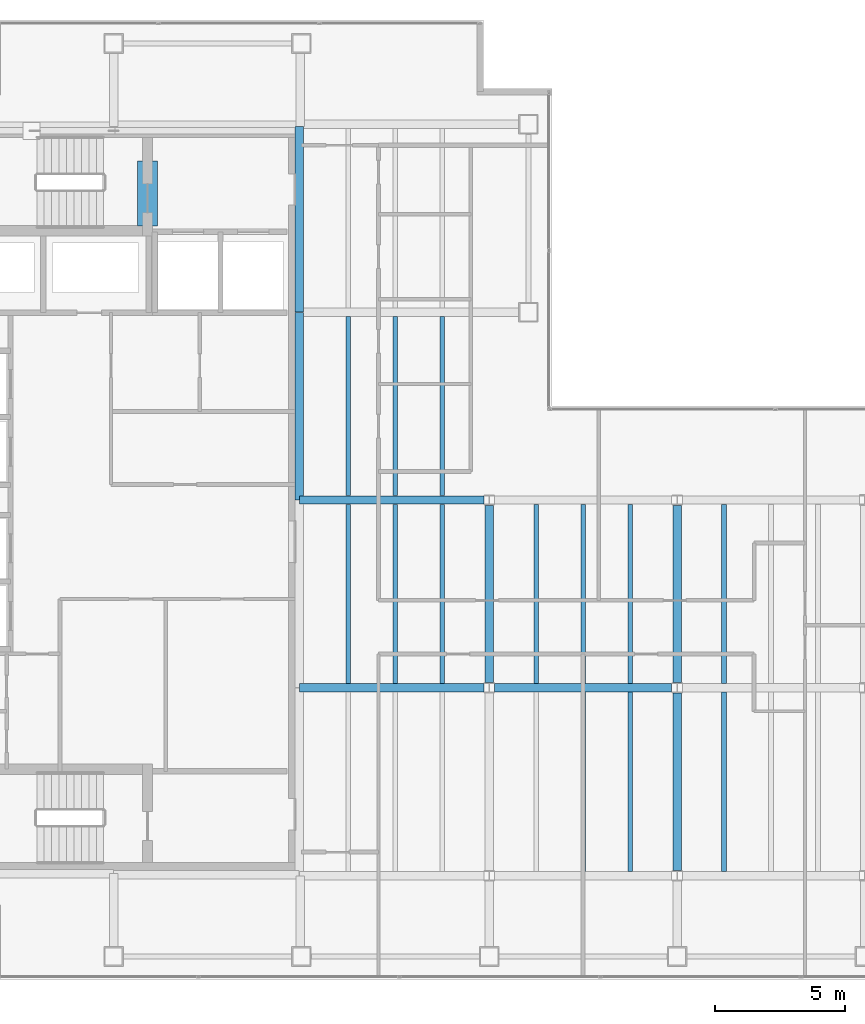
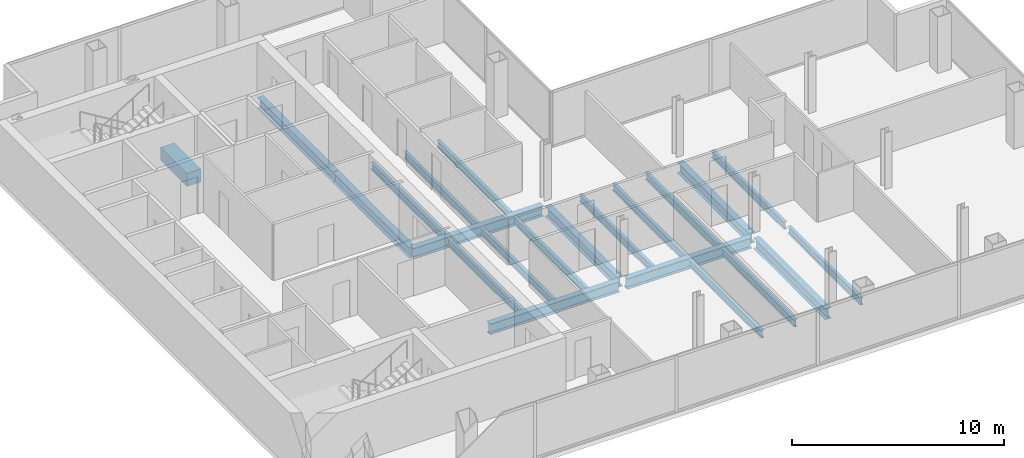
# One storey, part 7 of 23: 22 beams.
"""IFC4 building model written with IfcOpenShell, lengths in metres."""

from ifc_helpers import new_model, si_unit, direction, frame, origin, origin_2d, place, context, subcontext, project, spatial, rectangle, i_section, extrude, material, material_profile, profile_set, type_object, element, save


model = new_model("IFC4")

# Units and contexts
model_context = context("Model", 3, precision=1e-05, world=origin(), true_north=direction((0.0, 1.0)))
body_context = subcontext(model_context, "Body", "Model", "MODEL_VIEW")
ifc_project = project(units=[si_unit("LENGTHUNIT", "METRE"), si_unit("AREAUNIT", "SQUARE_METRE"), si_unit("VOLUMEUNIT", "CUBIC_METRE"), si_unit("PLANEANGLEUNIT", "RADIAN"), si_unit("MASSUNIT", "GRAM", prefix="KILO")], contexts=[model_context])

# Site, building, storey
site_placement = place(None, origin())
site = spatial("IfcSite", under=ifc_project, at=site_placement, CompositionType="ELEMENT")
building_placement = place(site_placement, origin())
building = spatial("IfcBuilding", under=site, at=building_placement, Name="Cobrela Telecom Tower", CompositionType="ELEMENT")
storey_placement = place(building_placement, frame((0.0, 0.0, 211.75)))
storey = spatial("IfcBuildingStorey", under=building, at=storey_placement, Name="L54", CompositionType="ELEMENT", Elevation=211.75)

# Beams
ifc_material_1 = material(Name="Concrete C40/50", Category="concrete")
ifc_material_profile_1 = material_profile(ifc_material_1, rectangle(XDim=0.75, YDim=0.75, at=origin_2d()), Name="RC 750x750")
ifc_profile_set_1 = profile_set([ifc_material_profile_1], Name="Concrete C40/50")
beam_type_1 = type_object("IfcBeamType", Name="BM-COUP-RC", PredefinedType="LINTEL", material=ifc_profile_set_1)
beam_1_placement = place(storey_placement, frame((8.5, 32.10009765625, -0.610107421875), z_axis=(0.0, 1.0, 0.0), x_axis=(-1.0, 0.0, 0.0)))
element("IfcBeam", 1, at=beam_1_placement, inside=storey, type_object=beam_type_1, Name="L54 Core Coupling Lintel Beam", PredefinedType="LINTEL", context=body_context, shape_type="SweptSolid", body=[
    extrude(rectangle(XDim=0.75, YDim=0.75, at=origin_2d()), origin(), (0.0, 0.0, 1.0), 2.5),
])
ifc_material_2 = material(Name="Steel ASTM A992 Grade 50", Category="steel")
ifc_material_profile_2 = material_profile(ifc_material_2, i_section(OverallWidth=0.324951171875, OverallDepth=0.612060546875, WebThickness=0.0126953125, FlangeThickness=0.01904296875, FilletRadius=0.014892578125, at=origin_2d()), Name="W24X104")
ifc_profile_set_2 = profile_set([ifc_material_profile_2], Name="Steel ASTM A992 Grade 50")
beam_type_2 = type_object("IfcBeamType", Name="BM-GIRD-07", PredefinedType="USERDEFINED", material=ifc_profile_set_2)
beam_2_placement = place(storey_placement, frame((14.324951171875, 14.39990234375, -0.56591796875), z_axis=(1.0, 0.0, 0.0), x_axis=(0.0, 1.0, 0.0)))
element("IfcBeam", 2, at=beam_2_placement, inside=storey, type_object=beam_type_2, Name="L54 Primary Girder X11", ObjectType="GIRDER", PredefinedType="USERDEFINED", context=body_context, shape_type="SweptSolid", body=[
    extrude(i_section(OverallWidth=0.324951171875, OverallDepth=0.612060546875, WebThickness=0.0126953125, FlangeThickness=0.01904296875, FilletRadius=0.014892578125, at=origin_2d()), origin(), (0.0, 0.0, 1.0), 7.070556640625),
])
beam_3_placement = place(storey_placement, frame((21.804443359375, 14.39990234375, -0.56591796875), z_axis=(1.0, 0.0, 0.0), x_axis=(0.0, 1.0, 0.0)))
element("IfcBeam", 3, at=beam_3_placement, inside=storey, type_object=beam_type_2, Name="L54 Primary Girder X12", ObjectType="GIRDER", PredefinedType="USERDEFINED", context=body_context, shape_type="SweptSolid", body=[
    extrude(i_section(OverallWidth=0.324951171875, OverallDepth=0.612060546875, WebThickness=0.0126953125, FlangeThickness=0.01904296875, FilletRadius=0.014892578125, at=origin_2d()), origin(), (0.0, 0.0, 1.0), 6.791015625),
])
beam_4_placement = place(storey_placement, frame((14.324951171875, 21.60009765625, -0.56591796875), z_axis=(1.0, 0.0, 0.0), x_axis=(0.0, 1.0, 0.0)))
element("IfcBeam", 4, at=beam_4_placement, inside=storey, type_object=beam_type_2, Name="L54 Primary Girder X15", ObjectType="GIRDER", PredefinedType="USERDEFINED", context=body_context, shape_type="SweptSolid", body=[
    extrude(i_section(OverallWidth=0.324951171875, OverallDepth=0.612060546875, WebThickness=0.0126953125, FlangeThickness=0.01904296875, FilletRadius=0.014892578125, at=origin_2d()), origin(), (0.0, 0.0, 1.0), 7.070556640625),
])
beam_5_placement = place(storey_placement, frame((14.320068359375, 21.60498046875, -0.56591796875), z_axis=(0.0, 1.0, 0.0), x_axis=(-1.0, 0.0, 0.0)))
element("IfcBeam", 5, at=beam_5_placement, inside=storey, type_object=beam_type_2, Name="L54 Primary Girder Y29", ObjectType="GIRDER", PredefinedType="USERDEFINED", context=body_context, shape_type="SweptSolid", body=[
    extrude(i_section(OverallWidth=0.324951171875, OverallDepth=0.612060546875, WebThickness=0.0126953125, FlangeThickness=0.01904296875, FilletRadius=0.014892578125, at=origin_2d()), origin(), (0.0, 0.0, 1.0), 7.18994140625),
])
beam_6_placement = place(storey_placement, frame((14.320068359375, 28.804931640625, -0.56591796875), z_axis=(0.0, 1.0, 0.0), x_axis=(-1.0, 0.0, 0.0)))
element("IfcBeam", 6, at=beam_6_placement, inside=storey, type_object=beam_type_2, Name="L54 Primary Girder Y30", ObjectType="GIRDER", PredefinedType="USERDEFINED", context=body_context, shape_type="SweptSolid", body=[
    extrude(i_section(OverallWidth=0.324951171875, OverallDepth=0.612060546875, WebThickness=0.0126953125, FlangeThickness=0.01904296875, FilletRadius=0.014892578125, at=origin_2d()), origin(), (0.0, 0.0, 1.0), 7.110107421875),
])
for number, where, z_axis, x_axis, name in (
    (7, (21.60009765625, 14.6044921875, -0.56591796875), (0.0, 1.0, 0.0), (-1.0, 0.0, 0.0), "L54 Primary Girder Y34"),
    (8, (28.800048828125, 7.404541015625, -0.56591796875), (0.0, 1.0, 0.0), (-1.0, 0.0, 0.0), "L54 Primary Girder Y37"),
    (9, (28.800048828125, 14.6044921875, -0.56591796875), (0.0, 1.0, 0.0), (-1.0, 0.0, 0.0), "L54 Primary Girder Y38"),
):
    element("IfcBeam", number, at=place(storey_placement, frame(where, z_axis=z_axis, x_axis=x_axis)), inside=storey, type_object=beam_type_2, Name=name, ObjectType="GIRDER", PredefinedType="USERDEFINED", context=body_context, shape_type="SweptSolid", body=[
        extrude(i_section(OverallWidth=0.324951171875, OverallDepth=0.612060546875, WebThickness=0.0126953125, FlangeThickness=0.01904296875, FilletRadius=0.014892578125, at=origin_2d()), origin(), (0.0, 0.0, 1.0), 6.791015625),
    ])
ifc_material_profile_3 = material_profile(ifc_material_2, i_section(OverallWidth=0.179931640625, OverallDepth=0.4169921875, WebThickness=0.010986328125, FlangeThickness=0.01806640625, FilletRadius=0.011962890625, at=origin_2d()), Name="W16X57")
ifc_profile_set_3 = profile_set([ifc_material_profile_3], Name="Steel ASTM A992 Grade 50")
beam_type_3 = type_object("IfcBeamType", Name="BM-JOIST-04", PredefinedType="JOIST", material=ifc_profile_set_3)
beam_7_placement = place(storey_placement, frame((16.199951171875, 14.5673828125, -0.468505859375), z_axis=(0.0, 1.0, 0.0), x_axis=(-1.0, 0.0, 0.0)))
element("IfcBeam", 10, at=beam_7_placement, inside=storey, type_object=beam_type_3, Name="L54 Secondary Composite Floor Beam J02", PredefinedType="JOIST", context=body_context, shape_type="SweptSolid", body=[
    extrude(i_section(OverallWidth=0.179931640625, OverallDepth=0.4169921875, WebThickness=0.010986328125, FlangeThickness=0.01806640625, FilletRadius=0.011962890625, at=origin_2d()), origin(), (0.0, 0.0, 1.0), 6.865234375),
])
beam_8_placement = place(storey_placement, frame((16.199951171875, 21.767578125, -0.468505859375), z_axis=(0.0, 1.0, 0.0), x_axis=(-1.0, 0.0, 0.0)))
element("IfcBeam", 11, at=beam_8_placement, inside=storey, type_object=beam_type_3, Name="L54 Secondary Composite Floor Beam J03", PredefinedType="JOIST", context=body_context, shape_type="SweptSolid", body=[
    extrude(i_section(OverallWidth=0.179931640625, OverallDepth=0.4169921875, WebThickness=0.010986328125, FlangeThickness=0.01806640625, FilletRadius=0.011962890625, at=origin_2d()), origin(), (0.0, 0.0, 1.0), 6.864990234375),
])
beam_9_placement = place(storey_placement, frame((18.0, 14.5673828125, -0.468505859375), z_axis=(0.0, 1.0, 0.0), x_axis=(-1.0, 0.0, 0.0)))
element("IfcBeam", 12, at=beam_9_placement, inside=storey, type_object=beam_type_3, Name="L54 Secondary Composite Floor Beam J06", PredefinedType="JOIST", context=body_context, shape_type="SweptSolid", body=[
    extrude(i_section(OverallWidth=0.179931640625, OverallDepth=0.4169921875, WebThickness=0.010986328125, FlangeThickness=0.01806640625, FilletRadius=0.011962890625, at=origin_2d()), origin(), (0.0, 0.0, 1.0), 6.865234375),
])
beam_10_placement = place(storey_placement, frame((18.0, 21.767578125, -0.468505859375), z_axis=(0.0, 1.0, 0.0), x_axis=(-1.0, 0.0, 0.0)))
element("IfcBeam", 13, at=beam_10_placement, inside=storey, type_object=beam_type_3, Name="L54 Secondary Composite Floor Beam J07", PredefinedType="JOIST", context=body_context, shape_type="SweptSolid", body=[
    extrude(i_section(OverallWidth=0.179931640625, OverallDepth=0.4169921875, WebThickness=0.010986328125, FlangeThickness=0.01806640625, FilletRadius=0.011962890625, at=origin_2d()), origin(), (0.0, 0.0, 1.0), 6.864990234375),
])
beam_11_placement = place(storey_placement, frame((19.800048828125, 14.5673828125, -0.468505859375), z_axis=(0.0, 1.0, 0.0), x_axis=(-1.0, 0.0, 0.0)))
element("IfcBeam", 14, at=beam_11_placement, inside=storey, type_object=beam_type_3, Name="L54 Secondary Composite Floor Beam J10", PredefinedType="JOIST", context=body_context, shape_type="SweptSolid", body=[
    extrude(i_section(OverallWidth=0.179931640625, OverallDepth=0.4169921875, WebThickness=0.010986328125, FlangeThickness=0.01806640625, FilletRadius=0.011962890625, at=origin_2d()), origin(), (0.0, 0.0, 1.0), 6.865234375),
])
beam_12_placement = place(storey_placement, frame((19.800048828125, 21.767578125, -0.468505859375), z_axis=(0.0, 1.0, 0.0), x_axis=(-1.0, 0.0, 0.0)))
element("IfcBeam", 15, at=beam_12_placement, inside=storey, type_object=beam_type_3, Name="L54 Secondary Composite Floor Beam J11", PredefinedType="JOIST", context=body_context, shape_type="SweptSolid", body=[
    extrude(i_section(OverallWidth=0.179931640625, OverallDepth=0.4169921875, WebThickness=0.010986328125, FlangeThickness=0.01806640625, FilletRadius=0.011962890625, at=origin_2d()), origin(), (0.0, 0.0, 1.0), 6.864990234375),
])
beam_13_placement = place(storey_placement, frame((23.39990234375, 14.5673828125, -0.468505859375), z_axis=(0.0, 1.0, 0.0), x_axis=(-1.0, 0.0, 0.0)))
element("IfcBeam", 16, at=beam_13_placement, inside=storey, type_object=beam_type_3, Name="L54 Secondary Composite Floor Beam J14", PredefinedType="JOIST", context=body_context, shape_type="SweptSolid", body=[
    extrude(i_section(OverallWidth=0.179931640625, OverallDepth=0.4169921875, WebThickness=0.010986328125, FlangeThickness=0.01806640625, FilletRadius=0.011962890625, at=origin_2d()), origin(), (0.0, 0.0, 1.0), 6.865234375),
])
beam_14_placement = place(storey_placement, frame((25.199951171875, 7.367431640625, -0.468505859375), z_axis=(0.0, 1.0, 0.0), x_axis=(-1.0, 0.0, 0.0)))
element("IfcBeam", 17, at=beam_14_placement, inside=storey, type_object=beam_type_3, Name="L54 Secondary Composite Floor Beam J15", PredefinedType="JOIST", context=body_context, shape_type="SweptSolid", body=[
    extrude(i_section(OverallWidth=0.179931640625, OverallDepth=0.4169921875, WebThickness=0.010986328125, FlangeThickness=0.01806640625, FilletRadius=0.011962890625, at=origin_2d()), origin(), (0.0, 0.0, 1.0), 6.864990234375),
])
beam_15_placement = place(storey_placement, frame((25.199951171875, 14.5673828125, -0.468505859375), z_axis=(0.0, 1.0, 0.0), x_axis=(-1.0, 0.0, 0.0)))
element("IfcBeam", 18, at=beam_15_placement, inside=storey, type_object=beam_type_3, Name="L54 Secondary Composite Floor Beam J16", PredefinedType="JOIST", context=body_context, shape_type="SweptSolid", body=[
    extrude(i_section(OverallWidth=0.179931640625, OverallDepth=0.4169921875, WebThickness=0.010986328125, FlangeThickness=0.01806640625, FilletRadius=0.011962890625, at=origin_2d()), origin(), (0.0, 0.0, 1.0), 6.865234375),
])
beam_16_placement = place(storey_placement, frame((27.0, 7.367431640625, -0.468505859375), z_axis=(0.0, 1.0, 0.0), x_axis=(-1.0, 0.0, 0.0)))
element("IfcBeam", 19, at=beam_16_placement, inside=storey, type_object=beam_type_3, Name="L54 Secondary Composite Floor Beam J17", PredefinedType="JOIST", context=body_context, shape_type="SweptSolid", body=[
    extrude(i_section(OverallWidth=0.179931640625, OverallDepth=0.4169921875, WebThickness=0.010986328125, FlangeThickness=0.01806640625, FilletRadius=0.011962890625, at=origin_2d()), origin(), (0.0, 0.0, 1.0), 6.864990234375),
])
beam_17_placement = place(storey_placement, frame((27.0, 14.5673828125, -0.468505859375), z_axis=(0.0, 1.0, 0.0), x_axis=(-1.0, 0.0, 0.0)))
element("IfcBeam", 20, at=beam_17_placement, inside=storey, type_object=beam_type_3, Name="L54 Secondary Composite Floor Beam J18", PredefinedType="JOIST", context=body_context, shape_type="SweptSolid", body=[
    extrude(i_section(OverallWidth=0.179931640625, OverallDepth=0.4169921875, WebThickness=0.010986328125, FlangeThickness=0.01806640625, FilletRadius=0.011962890625, at=origin_2d()), origin(), (0.0, 0.0, 1.0), 6.865234375),
])
beam_18_placement = place(storey_placement, frame((30.60009765625, 7.367431640625, -0.468505859375), z_axis=(0.0, 1.0, 0.0), x_axis=(-1.0, 0.0, 0.0)))
element("IfcBeam", 21, at=beam_18_placement, inside=storey, type_object=beam_type_3, Name="L54 Secondary Composite Floor Beam J19", PredefinedType="JOIST", context=body_context, shape_type="SweptSolid", body=[
    extrude(i_section(OverallWidth=0.179931640625, OverallDepth=0.4169921875, WebThickness=0.010986328125, FlangeThickness=0.01806640625, FilletRadius=0.011962890625, at=origin_2d()), origin(), (0.0, 0.0, 1.0), 6.864990234375),
])
beam_19_placement = place(storey_placement, frame((30.60009765625, 14.5673828125, -0.468505859375), z_axis=(0.0, 1.0, 0.0), x_axis=(-1.0, 0.0, 0.0)))
element("IfcBeam", 22, at=beam_19_placement, inside=storey, type_object=beam_type_3, Name="L54 Secondary Composite Floor Beam J20", PredefinedType="JOIST", context=body_context, shape_type="SweptSolid", body=[
    extrude(i_section(OverallWidth=0.179931640625, OverallDepth=0.4169921875, WebThickness=0.010986328125, FlangeThickness=0.01806640625, FilletRadius=0.011962890625, at=origin_2d()), origin(), (0.0, 0.0, 1.0), 6.865234375),
])

save(model, "model.ifc")
